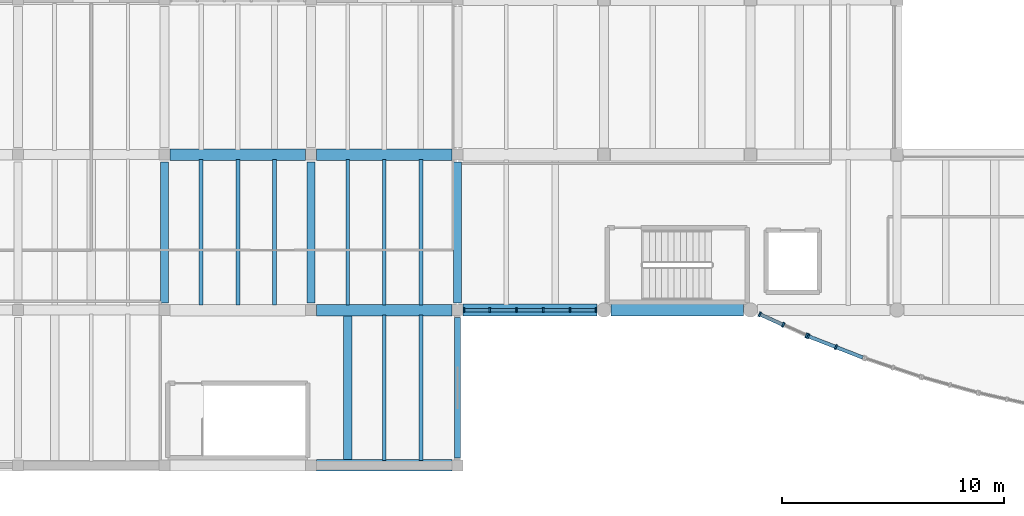
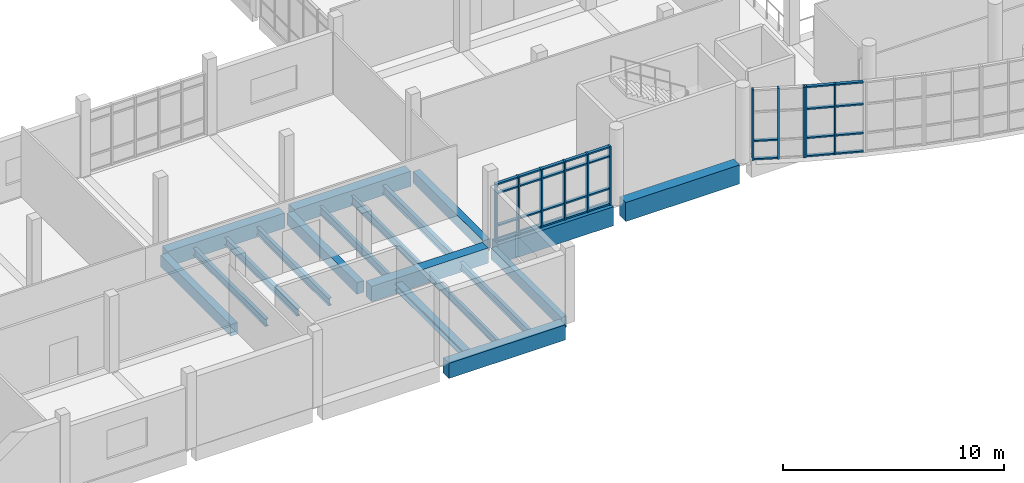
# One storey, part 4 of 65: 41 members, 19 beams, 3 elements without a shape of their own.
"""IFC4 building model written with IfcOpenShell, lengths in metres."""

from ifc_helpers import new_model, si_unit, direction, frame, origin, origin_2d, place, context, subcontext, project, spatial, rectangle, i_section, extrude, material, material_profile, profile_set, type_object, element, aggregate, save


model = new_model("IFC4")

# Units and contexts
model_context = context("Model", 3, precision=1e-05, world=origin(), true_north=direction((0.0, 1.0)))
body_context = subcontext(model_context, "Body", "Model", "MODEL_VIEW")
ifc_project = project(units=[si_unit("LENGTHUNIT", "METRE"), si_unit("AREAUNIT", "SQUARE_METRE"), si_unit("VOLUMEUNIT", "CUBIC_METRE"), si_unit("PLANEANGLEUNIT", "RADIAN"), si_unit("MASSUNIT", "GRAM", prefix="KILO")], contexts=[model_context])

# Site, building, storey
site_placement = place(None, origin())
site = spatial("IfcSite", under=ifc_project, at=site_placement, CompositionType="ELEMENT")
building_placement = place(site_placement, origin())
building = spatial("IfcBuilding", under=site, at=building_placement, Name="Ciguamira Faculty of Natural Sciences", CompositionType="ELEMENT")
storey_placement = place(building_placement, frame((0.0, 0.0, 12.60009765625)))
storey = spatial("IfcBuildingStorey", under=building, at=storey_placement, Name="L03", CompositionType="ELEMENT", Elevation=12.60009765625)

# Curtain wall, members
ifc_material_1 = material(Name="Anodized aluminium curtain wall", Category="aluminium")
curtain_wall_type_1 = type_object("IfcCurtainWallType", Name="CurtainWall_CW-09", PredefinedType="USERDEFINED", material=ifc_material_1)
curtain_wall_1_placement = place(storey_placement, origin())
curtain_wall_1 = element("IfcCurtainWall", 1, at=curtain_wall_1_placement, inside=storey, type_object=curtain_wall_type_1, Name="L03 unitised curtain wall 0081", ObjectType="UNITISED CURTAIN WALL", PredefinedType="USERDEFINED")
ifc_material_2 = material(Name="Anodized aluminium mullion", Category="aluminium")
ifc_material_profile_1 = material_profile(ifc_material_2, rectangle(XDim=0.080078125, YDim=0.219970703125, at=origin_2d()), Name="ALU-MUL-80X220")
ifc_profile_set_1 = profile_set([ifc_material_profile_1], Name="Anodized aluminium mullion")
member_type_1 = type_object("IfcMemberType", Name="CWMullion_CWM-03", PredefinedType="MULLION", material=ifc_profile_set_1)
member_1_placement = place(storey_placement, frame((50.989990234375, 10.0, 0.0), z_axis=(0.0, 0.0, 1.0), x_axis=(1.0, 0.0, 0.0)))
member_1 = element("IfcMember", 2, at=member_1_placement, type_object=member_type_1, Name="CW-09 mullion 1", PredefinedType="MULLION", context=body_context, shape_type="SweptSolid", body=[
    extrude(rectangle(XDim=0.080078125, YDim=0.219970703125, at=origin_2d()), origin(), (0.0, 0.0, 1.0), 3.23486328125),
])
member_2_placement = place(storey_placement, frame((52.155029296875, 10.0, 0.0), z_axis=(0.0, 0.0, 1.0), x_axis=(1.0, 0.0, 0.0)))
member_2 = element("IfcMember", 3, at=member_2_placement, type_object=member_type_1, Name="CW-09 mullion 2", PredefinedType="MULLION", context=body_context, shape_type="SweptSolid", body=[
    extrude(rectangle(XDim=0.080078125, YDim=0.219970703125, at=origin_2d()), origin(), (0.0, 0.0, 1.0), 3.23486328125),
])
member_3_placement = place(storey_placement, frame((53.360107421875, 10.0, 0.0), z_axis=(0.0, 0.0, 1.0), x_axis=(1.0, 0.0, 0.0)))
member_3 = element("IfcMember", 4, at=member_3_placement, type_object=member_type_1, Name="CW-09 mullion 3", PredefinedType="MULLION", context=body_context, shape_type="SweptSolid", body=[
    extrude(rectangle(XDim=0.080078125, YDim=0.219970703125, at=origin_2d()), origin(), (0.0, 0.0, 1.0), 3.23486328125),
])
member_4_placement = place(storey_placement, frame((54.56494140625, 10.0, 0.0), z_axis=(0.0, 0.0, 1.0), x_axis=(1.0, 0.0, 0.0)))
member_4 = element("IfcMember", 5, at=member_4_placement, type_object=member_type_1, Name="CW-09 mullion 4", PredefinedType="MULLION", context=body_context, shape_type="SweptSolid", body=[
    extrude(rectangle(XDim=0.080078125, YDim=0.219970703125, at=origin_2d()), origin(), (0.0, 0.0, 1.0), 3.23486328125),
])
member_5_placement = place(storey_placement, frame((55.77001953125, 10.0, 0.0), z_axis=(0.0, 0.0, 1.0), x_axis=(1.0, 0.0, 0.0)))
member_5 = element("IfcMember", 6, at=member_5_placement, type_object=member_type_1, Name="CW-09 mullion 5", PredefinedType="MULLION", context=body_context, shape_type="SweptSolid", body=[
    extrude(rectangle(XDim=0.080078125, YDim=0.219970703125, at=origin_2d()), origin(), (0.0, 0.0, 1.0), 3.23486328125),
])
member_6_placement = place(storey_placement, frame((56.93505859375, 10.0, 0.0), z_axis=(0.0, 0.0, 1.0), x_axis=(1.0, 0.0, 0.0)))
member_6 = element("IfcMember", 7, at=member_6_placement, type_object=member_type_1, Name="CW-09 mullion 6", PredefinedType="MULLION", context=body_context, shape_type="SweptSolid", body=[
    extrude(rectangle(XDim=0.080078125, YDim=0.219970703125, at=origin_2d()), origin(), (0.0, 0.0, 1.0), 3.23486328125),
])

curtain_wall_type_2 = type_object("IfcCurtainWallType", Name="CurtainWall_CW-12", PredefinedType="USERDEFINED", material=ifc_material_1)
curtain_wall_2_placement = place(storey_placement, origin())
curtain_wall_2 = element("IfcCurtainWall", 8, at=curtain_wall_2_placement, inside=storey, type_object=curtain_wall_type_2, Name="L03 south gallery curved curtain wall 01", ObjectType="UNITISED CURTAIN WALL", PredefinedType="USERDEFINED")
member_7_placement = place(storey_placement, frame((64.31884765625, 9.809814453125, 0.0), z_axis=(0.0, 0.0, 1.0), x_axis=(0.910580503774, -0.41333176281, 0.0)))
member_7 = element("IfcMember", 9, at=member_7_placement, type_object=member_type_1, Name="CW-12 mullion 1", PredefinedType="MULLION", context=body_context, shape_type="SweptSolid", body=[
    extrude(rectangle(XDim=0.080078125, YDim=0.219970703125, at=origin_2d()), origin(), (0.0, 0.0, 1.0), 3.89990234375),
])
member_8_placement = place(storey_placement, frame((65.37451171875, 9.33056640625, 0.0), z_axis=(0.0, 0.0, 1.0), x_axis=(0.910580503774, -0.41333176281, 0.0)))
member_8 = element("IfcMember", 10, at=member_8_placement, type_object=member_type_1, Name="CW-12 mullion 2", PredefinedType="MULLION", context=body_context, shape_type="SweptSolid", body=[
    extrude(rectangle(XDim=0.080078125, YDim=0.219970703125, at=origin_2d()), origin(), (0.0, 0.0, 1.0), 3.89990234375),
])
member_9_placement = place(storey_placement, frame((66.43017578125, 8.851318359375, 0.0), z_axis=(0.0, 0.0, 1.0), x_axis=(0.910580503774, -0.41333176281, 0.0)))
member_9 = element("IfcMember", 11, at=member_9_placement, type_object=member_type_1, Name="CW-12 mullion 3", PredefinedType="MULLION", context=body_context, shape_type="SweptSolid", body=[
    extrude(rectangle(XDim=0.080078125, YDim=0.219970703125, at=origin_2d()), origin(), (0.0, 0.0, 1.0), 3.89990234375),
])

curtain_wall_type_3 = type_object("IfcCurtainWallType", Name="CurtainWall_CW-01", PredefinedType="USERDEFINED", material=ifc_material_1)
curtain_wall_3_placement = place(storey_placement, origin())
curtain_wall_3 = element("IfcCurtainWall", 12, at=curtain_wall_3_placement, inside=storey, type_object=curtain_wall_type_3, Name="L03 south gallery curved curtain wall 02", ObjectType="UNITISED CURTAIN WALL", PredefinedType="USERDEFINED")
member_10_placement = place(storey_placement, frame((66.50390625, 8.8203125, 0.0), z_axis=(0.0, 0.0, 1.0), x_axis=(0.931122296337, -0.36470710065, 0.0)))
member_10 = element("IfcMember", 13, at=member_10_placement, type_object=member_type_1, Name="CW-01 mullion 1", PredefinedType="MULLION", context=body_context, shape_type="SweptSolid", body=[
    extrude(rectangle(XDim=0.080078125, YDim=0.219970703125, at=origin_2d()), origin(), (0.0, 0.0, 1.0), 3.89990234375),
])
member_11_placement = place(storey_placement, frame((67.75, 8.332275390625, 0.0), z_axis=(0.0, 0.0, 1.0), x_axis=(0.931122296337, -0.36470710065, 0.0)))
member_11 = element("IfcMember", 14, at=member_11_placement, type_object=member_type_1, Name="CW-01 mullion 2", PredefinedType="MULLION", context=body_context, shape_type="SweptSolid", body=[
    extrude(rectangle(XDim=0.080078125, YDim=0.219970703125, at=origin_2d()), origin(), (0.0, 0.0, 1.0), 3.89990234375),
])

# Member
ifc_material_3 = material(Name="Anodized aluminium transom", Category="aluminium")
ifc_material_profile_2 = material_profile(ifc_material_3, rectangle(XDim=0.080078125, YDim=0.159912109375, at=origin_2d()), Name="ALU-TRN-80X160")
ifc_profile_set_2 = profile_set([ifc_material_profile_2], Name="Anodized aluminium transom")
member_type_2 = type_object("IfcMemberType", Name="CWTransom_CWT-03", PredefinedType="USERDEFINED", material=ifc_profile_set_2)
member_12_placement = place(storey_placement, frame((51.030029296875, 10.0, 0.039794921875), z_axis=(1.0, 0.0, 0.0), x_axis=(0.0, 0.0, 1.0)))
member_12 = element("IfcMember", 15, at=member_12_placement, type_object=member_type_2, Name="CW-09 transom 1.1", ObjectType="TRANSOM", PredefinedType="USERDEFINED", context=body_context, shape_type="SweptSolid", body=[
    extrude(rectangle(XDim=0.080078125, YDim=0.159912109375, at=origin_2d()), origin(), (0.0, 0.0, 1.0), 1.0849609375),
])

member_13_placement = place(storey_placement, frame((51.030029296875, 10.0, 0.89990234375), z_axis=(1.0, 0.0, 0.0), x_axis=(0.0, 0.0, 1.0)))
member_13 = element("IfcMember", 16, at=member_13_placement, type_object=member_type_2, Name="CW-09 transom 1.2", ObjectType="TRANSOM", PredefinedType="USERDEFINED", context=body_context, shape_type="SweptSolid", body=[
    extrude(rectangle(XDim=0.080078125, YDim=0.159912109375, at=origin_2d()), origin(), (0.0, 0.0, 1.0), 1.0849609375),
])

member_14_placement = place(storey_placement, frame((51.030029296875, 10.0, 2.684814453125), z_axis=(1.0, 0.0, 0.0), x_axis=(0.0, 0.0, 1.0)))
member_14 = element("IfcMember", 17, at=member_14_placement, type_object=member_type_2, Name="CW-09 transom 1.3", ObjectType="TRANSOM", PredefinedType="USERDEFINED", context=body_context, shape_type="SweptSolid", body=[
    extrude(rectangle(XDim=0.080078125, YDim=0.159912109375, at=origin_2d()), origin(), (0.0, 0.0, 1.0), 1.0849609375),
])

member_15_placement = place(storey_placement, frame((51.030029296875, 10.0, 3.19482421875), z_axis=(1.0, 0.0, 0.0), x_axis=(0.0, 0.0, 1.0)))
member_15 = element("IfcMember", 18, at=member_15_placement, type_object=member_type_2, Name="CW-09 transom 1.4", ObjectType="TRANSOM", PredefinedType="USERDEFINED", context=body_context, shape_type="SweptSolid", body=[
    extrude(rectangle(XDim=0.080078125, YDim=0.159912109375, at=origin_2d()), origin(), (0.0, 0.0, 1.0), 1.0849609375),
])

member_16_placement = place(storey_placement, frame((52.195068359375, 10.0, 0.039794921875), z_axis=(1.0, 0.0, 0.0), x_axis=(0.0, 0.0, 1.0)))
member_16 = element("IfcMember", 19, at=member_16_placement, type_object=member_type_2, Name="CW-09 transom 2.1", ObjectType="TRANSOM", PredefinedType="USERDEFINED", context=body_context, shape_type="SweptSolid", body=[
    extrude(rectangle(XDim=0.080078125, YDim=0.159912109375, at=origin_2d()), origin(), (0.0, 0.0, 1.0), 1.125),
])

member_17_placement = place(storey_placement, frame((52.195068359375, 10.0, 0.89990234375), z_axis=(1.0, 0.0, 0.0), x_axis=(0.0, 0.0, 1.0)))
member_17 = element("IfcMember", 20, at=member_17_placement, type_object=member_type_2, Name="CW-09 transom 2.2", ObjectType="TRANSOM", PredefinedType="USERDEFINED", context=body_context, shape_type="SweptSolid", body=[
    extrude(rectangle(XDim=0.080078125, YDim=0.159912109375, at=origin_2d()), origin(), (0.0, 0.0, 1.0), 1.125),
])

member_18_placement = place(storey_placement, frame((52.195068359375, 10.0, 2.684814453125), z_axis=(1.0, 0.0, 0.0), x_axis=(0.0, 0.0, 1.0)))
member_18 = element("IfcMember", 21, at=member_18_placement, type_object=member_type_2, Name="CW-09 transom 2.3", ObjectType="TRANSOM", PredefinedType="USERDEFINED", context=body_context, shape_type="SweptSolid", body=[
    extrude(rectangle(XDim=0.080078125, YDim=0.159912109375, at=origin_2d()), origin(), (0.0, 0.0, 1.0), 1.125),
])

member_19_placement = place(storey_placement, frame((52.195068359375, 10.0, 3.19482421875), z_axis=(1.0, 0.0, 0.0), x_axis=(0.0, 0.0, 1.0)))
member_19 = element("IfcMember", 22, at=member_19_placement, type_object=member_type_2, Name="CW-09 transom 2.4", ObjectType="TRANSOM", PredefinedType="USERDEFINED", context=body_context, shape_type="SweptSolid", body=[
    extrude(rectangle(XDim=0.080078125, YDim=0.159912109375, at=origin_2d()), origin(), (0.0, 0.0, 1.0), 1.125),
])

member_20_placement = place(storey_placement, frame((53.39990234375, 10.0, 0.039794921875), z_axis=(1.0, 0.0, 0.0), x_axis=(0.0, 0.0, 1.0)))
member_20 = element("IfcMember", 23, at=member_20_placement, type_object=member_type_2, Name="CW-09 transom 3.1", ObjectType="TRANSOM", PredefinedType="USERDEFINED", context=body_context, shape_type="SweptSolid", body=[
    extrude(rectangle(XDim=0.080078125, YDim=0.159912109375, at=origin_2d()), origin(), (0.0, 0.0, 1.0), 1.125),
])

member_21_placement = place(storey_placement, frame((53.39990234375, 10.0, 0.89990234375), z_axis=(1.0, 0.0, 0.0), x_axis=(0.0, 0.0, 1.0)))
member_21 = element("IfcMember", 24, at=member_21_placement, type_object=member_type_2, Name="CW-09 transom 3.2", ObjectType="TRANSOM", PredefinedType="USERDEFINED", context=body_context, shape_type="SweptSolid", body=[
    extrude(rectangle(XDim=0.080078125, YDim=0.159912109375, at=origin_2d()), origin(), (0.0, 0.0, 1.0), 1.125),
])

member_22_placement = place(storey_placement, frame((53.39990234375, 10.0, 2.684814453125), z_axis=(1.0, 0.0, 0.0), x_axis=(0.0, 0.0, 1.0)))
member_22 = element("IfcMember", 25, at=member_22_placement, type_object=member_type_2, Name="CW-09 transom 3.3", ObjectType="TRANSOM", PredefinedType="USERDEFINED", context=body_context, shape_type="SweptSolid", body=[
    extrude(rectangle(XDim=0.080078125, YDim=0.159912109375, at=origin_2d()), origin(), (0.0, 0.0, 1.0), 1.125),
])

member_23_placement = place(storey_placement, frame((53.39990234375, 10.0, 3.19482421875), z_axis=(1.0, 0.0, 0.0), x_axis=(0.0, 0.0, 1.0)))
member_23 = element("IfcMember", 26, at=member_23_placement, type_object=member_type_2, Name="CW-09 transom 3.4", ObjectType="TRANSOM", PredefinedType="USERDEFINED", context=body_context, shape_type="SweptSolid", body=[
    extrude(rectangle(XDim=0.080078125, YDim=0.159912109375, at=origin_2d()), origin(), (0.0, 0.0, 1.0), 1.125),
])

member_24_placement = place(storey_placement, frame((54.60498046875, 10.0, 0.039794921875), z_axis=(1.0, 0.0, 0.0), x_axis=(0.0, 0.0, 1.0)))
member_24 = element("IfcMember", 27, at=member_24_placement, type_object=member_type_2, Name="CW-09 transom 4.1", ObjectType="TRANSOM", PredefinedType="USERDEFINED", context=body_context, shape_type="SweptSolid", body=[
    extrude(rectangle(XDim=0.080078125, YDim=0.159912109375, at=origin_2d()), origin(), (0.0, 0.0, 1.0), 1.125),
])

member_25_placement = place(storey_placement, frame((54.60498046875, 10.0, 0.89990234375), z_axis=(1.0, 0.0, 0.0), x_axis=(0.0, 0.0, 1.0)))
member_25 = element("IfcMember", 28, at=member_25_placement, type_object=member_type_2, Name="CW-09 transom 4.2", ObjectType="TRANSOM", PredefinedType="USERDEFINED", context=body_context, shape_type="SweptSolid", body=[
    extrude(rectangle(XDim=0.080078125, YDim=0.159912109375, at=origin_2d()), origin(), (0.0, 0.0, 1.0), 1.125),
])

member_26_placement = place(storey_placement, frame((54.60498046875, 10.0, 2.684814453125), z_axis=(1.0, 0.0, 0.0), x_axis=(0.0, 0.0, 1.0)))
member_26 = element("IfcMember", 29, at=member_26_placement, type_object=member_type_2, Name="CW-09 transom 4.3", ObjectType="TRANSOM", PredefinedType="USERDEFINED", context=body_context, shape_type="SweptSolid", body=[
    extrude(rectangle(XDim=0.080078125, YDim=0.159912109375, at=origin_2d()), origin(), (0.0, 0.0, 1.0), 1.125),
])

member_27_placement = place(storey_placement, frame((54.60498046875, 10.0, 3.19482421875), z_axis=(1.0, 0.0, 0.0), x_axis=(0.0, 0.0, 1.0)))
member_27 = element("IfcMember", 30, at=member_27_placement, type_object=member_type_2, Name="CW-09 transom 4.4", ObjectType="TRANSOM", PredefinedType="USERDEFINED", context=body_context, shape_type="SweptSolid", body=[
    extrude(rectangle(XDim=0.080078125, YDim=0.159912109375, at=origin_2d()), origin(), (0.0, 0.0, 1.0), 1.125),
])

member_28_placement = place(storey_placement, frame((55.81005859375, 10.0, 0.039794921875), z_axis=(1.0, 0.0, 0.0), x_axis=(0.0, 0.0, 1.0)))
member_28 = element("IfcMember", 31, at=member_28_placement, type_object=member_type_2, Name="CW-09 transom 5.1", ObjectType="TRANSOM", PredefinedType="USERDEFINED", context=body_context, shape_type="SweptSolid", body=[
    extrude(rectangle(XDim=0.080078125, YDim=0.159912109375, at=origin_2d()), origin(), (0.0, 0.0, 1.0), 1.0849609375),
])

member_29_placement = place(storey_placement, frame((55.81005859375, 10.0, 0.89990234375), z_axis=(1.0, 0.0, 0.0), x_axis=(0.0, 0.0, 1.0)))
member_29 = element("IfcMember", 32, at=member_29_placement, type_object=member_type_2, Name="CW-09 transom 5.2", ObjectType="TRANSOM", PredefinedType="USERDEFINED", context=body_context, shape_type="SweptSolid", body=[
    extrude(rectangle(XDim=0.080078125, YDim=0.159912109375, at=origin_2d()), origin(), (0.0, 0.0, 1.0), 1.0849609375),
])

member_30_placement = place(storey_placement, frame((55.81005859375, 10.0, 2.684814453125), z_axis=(1.0, 0.0, 0.0), x_axis=(0.0, 0.0, 1.0)))
member_30 = element("IfcMember", 33, at=member_30_placement, type_object=member_type_2, Name="CW-09 transom 5.3", ObjectType="TRANSOM", PredefinedType="USERDEFINED", context=body_context, shape_type="SweptSolid", body=[
    extrude(rectangle(XDim=0.080078125, YDim=0.159912109375, at=origin_2d()), origin(), (0.0, 0.0, 1.0), 1.0849609375),
])

member_31_placement = place(storey_placement, frame((55.81005859375, 10.0, 3.19482421875), z_axis=(1.0, 0.0, 0.0), x_axis=(0.0, 0.0, 1.0)))
member_31 = element("IfcMember", 34, at=member_31_placement, type_object=member_type_2, Name="CW-09 transom 5.4", ObjectType="TRANSOM", PredefinedType="USERDEFINED", context=body_context, shape_type="SweptSolid", body=[
    extrude(rectangle(XDim=0.080078125, YDim=0.159912109375, at=origin_2d()), origin(), (0.0, 0.0, 1.0), 1.0849609375),
])

aggregate(curtain_wall_1, [member_1, member_2, member_3, member_4, member_5, member_6, member_12, member_13, member_14, member_15, member_16, member_17, member_18, member_19, member_20, member_21, member_22, member_23, member_24, member_25, member_26, member_27, member_28, member_29, member_30, member_31])

member_32_placement = place(storey_placement, frame((64.355224609375, 9.793212890625, 0.039794921875), z_axis=(0.910621924114, -0.413240500585, 0.0), x_axis=(0.0, 0.0, 1.0)))
member_32 = element("IfcMember", 35, at=member_32_placement, type_object=member_type_2, Name="CW-12 transom 1.1", ObjectType="TRANSOM", PredefinedType="USERDEFINED", context=body_context, shape_type="SweptSolid", body=[
    extrude(rectangle(XDim=0.080078125, YDim=0.159912109375, at=origin_2d()), origin(), (0.0, 0.0, 1.0), 1.079345703125),
])

member_33_placement = place(storey_placement, frame((64.355224609375, 9.793212890625, 1.0498046875), z_axis=(0.910621924114, -0.413240500585, 0.0), x_axis=(0.0, 0.0, 1.0)))
member_33 = element("IfcMember", 36, at=member_33_placement, type_object=member_type_2, Name="CW-12 transom 1.2", ObjectType="TRANSOM", PredefinedType="USERDEFINED", context=body_context, shape_type="SweptSolid", body=[
    extrude(rectangle(XDim=0.080078125, YDim=0.159912109375, at=origin_2d()), origin(), (0.0, 0.0, 1.0), 1.079345703125),
])

aggregate(curtain_wall_2, [member_7, member_8, member_9, member_32, member_33])

member_34_placement = place(storey_placement, frame((66.541259765625, 8.8056640625, 0.039794921875), z_axis=(0.931142528587, -0.364655442104, 0.0), x_axis=(0.0, 0.0, 1.0)))
member_34 = element("IfcMember", 37, at=member_34_placement, type_object=member_type_2, Name="CW-01 transom 1.1", ObjectType="TRANSOM", PredefinedType="USERDEFINED", context=body_context, shape_type="SweptSolid", body=[
    extrude(rectangle(XDim=0.080078125, YDim=0.159912109375, at=origin_2d()), origin(), (0.0, 0.0, 1.0), 1.258056640625),
])

member_35_placement = place(storey_placement, frame((66.541259765625, 8.8056640625, 1.0498046875), z_axis=(0.931142528587, -0.364655442104, 0.0), x_axis=(0.0, 0.0, 1.0)))
member_35 = element("IfcMember", 38, at=member_35_placement, type_object=member_type_2, Name="CW-01 transom 1.2", ObjectType="TRANSOM", PredefinedType="USERDEFINED", context=body_context, shape_type="SweptSolid", body=[
    extrude(rectangle(XDim=0.080078125, YDim=0.159912109375, at=origin_2d()), origin(), (0.0, 0.0, 1.0), 1.258056640625),
])

member_36_placement = place(storey_placement, frame((66.541259765625, 8.8056640625, 2.64990234375), z_axis=(0.931142528587, -0.364655442104, 0.0), x_axis=(0.0, 0.0, 1.0)))
member_36 = element("IfcMember", 39, at=member_36_placement, type_object=member_type_2, Name="CW-01 transom 1.3", ObjectType="TRANSOM", PredefinedType="USERDEFINED", context=body_context, shape_type="SweptSolid", body=[
    extrude(rectangle(XDim=0.080078125, YDim=0.159912109375, at=origin_2d()), origin(), (0.0, 0.0, 1.0), 1.258056640625),
])

member_37_placement = place(storey_placement, frame((66.541259765625, 8.8056640625, 3.85986328125), z_axis=(0.931142528587, -0.364655442104, 0.0), x_axis=(0.0, 0.0, 1.0)))
member_37 = element("IfcMember", 40, at=member_37_placement, type_object=member_type_2, Name="CW-01 transom 1.4", ObjectType="TRANSOM", PredefinedType="USERDEFINED", context=body_context, shape_type="SweptSolid", body=[
    extrude(rectangle(XDim=0.080078125, YDim=0.159912109375, at=origin_2d()), origin(), (0.0, 0.0, 1.0), 1.258056640625),
])

member_38_placement = place(storey_placement, frame((67.787353515625, 8.317626953125, 0.039794921875), z_axis=(0.931142528587, -0.364655442104, 0.0), x_axis=(0.0, 0.0, 1.0)))
member_38 = element("IfcMember", 41, at=member_38_placement, type_object=member_type_2, Name="CW-01 transom 2.1", ObjectType="TRANSOM", PredefinedType="USERDEFINED", context=body_context, shape_type="SweptSolid", body=[
    extrude(rectangle(XDim=0.080078125, YDim=0.159912109375, at=origin_2d()), origin(), (0.0, 0.0, 1.0), 1.258056640625),
])

member_39_placement = place(storey_placement, frame((67.787353515625, 8.317626953125, 1.0498046875), z_axis=(0.931142528587, -0.364655442104, 0.0), x_axis=(0.0, 0.0, 1.0)))
member_39 = element("IfcMember", 42, at=member_39_placement, type_object=member_type_2, Name="CW-01 transom 2.2", ObjectType="TRANSOM", PredefinedType="USERDEFINED", context=body_context, shape_type="SweptSolid", body=[
    extrude(rectangle(XDim=0.080078125, YDim=0.159912109375, at=origin_2d()), origin(), (0.0, 0.0, 1.0), 1.258056640625),
])

member_40_placement = place(storey_placement, frame((67.787353515625, 8.317626953125, 2.64990234375), z_axis=(0.931142528587, -0.364655442104, 0.0), x_axis=(0.0, 0.0, 1.0)))
member_40 = element("IfcMember", 43, at=member_40_placement, type_object=member_type_2, Name="CW-01 transom 2.3", ObjectType="TRANSOM", PredefinedType="USERDEFINED", context=body_context, shape_type="SweptSolid", body=[
    extrude(rectangle(XDim=0.080078125, YDim=0.159912109375, at=origin_2d()), origin(), (0.0, 0.0, 1.0), 1.258056640625),
])

member_41_placement = place(storey_placement, frame((67.787353515625, 8.317626953125, 3.85986328125), z_axis=(0.931142528587, -0.364655442104, 0.0), x_axis=(0.0, 0.0, 1.0)))
member_41 = element("IfcMember", 44, at=member_41_placement, type_object=member_type_2, Name="CW-01 transom 2.4", ObjectType="TRANSOM", PredefinedType="USERDEFINED", context=body_context, shape_type="SweptSolid", body=[
    extrude(rectangle(XDim=0.080078125, YDim=0.159912109375, at=origin_2d()), origin(), (0.0, 0.0, 1.0), 1.258056640625),
])

aggregate(curtain_wall_3, [member_10, member_11, member_34, member_35, member_36, member_37, member_38, member_39, member_40, member_41])

# Beams
ifc_material_4 = material(Name="Concrete C40/50", Category="concrete")
ifc_material_profile_3 = material_profile(ifc_material_4, rectangle(XDim=0.550048828125, YDim=1.050048828125, at=origin_2d()), Name="RC-BM-550X1050")
ifc_profile_set_3 = profile_set([ifc_material_profile_3], Name="Concrete C40/50")
beam_type_1 = type_object("IfcBeamType", Name="RCBeam_BG-01_RC-BM-550X1050", PredefinedType="BEAM", material=ifc_profile_set_3)
beam_1_placement = place(storey_placement, frame((50.949951171875, 10.0, -0.525146484375), z_axis=(1.0, 0.0, 0.0), x_axis=(0.0, 1.0, 0.0)))
element("IfcBeam", 45, at=beam_1_placement, inside=storey, type_object=beam_type_1, Name="L03 RC girder EW-1027", PredefinedType="BEAM", context=body_context, shape_type="SweptSolid", body=[
    extrude(rectangle(XDim=0.550048828125, YDim=1.050048828125, at=origin_2d()), origin(), (0.0, 0.0, 1.0), 6.025146484375),
])
beam_2_placement = place(storey_placement, frame((57.625, 10.0, -0.525146484375), z_axis=(1.0, 0.0, 0.0), x_axis=(0.0, 1.0, 0.0)))
element("IfcBeam", 46, at=beam_2_placement, inside=storey, type_object=beam_type_1, Name="L03 RC girder EW-1028", PredefinedType="BEAM", context=body_context, shape_type="SweptSolid", body=[
    extrude(rectangle(XDim=0.550048828125, YDim=1.050048828125, at=origin_2d()), origin(), (0.0, 0.0, 1.0), 5.949951171875),
])
ifc_material_profile_4 = material_profile(ifc_material_4, rectangle(XDim=0.360107421875, YDim=0.639892578125, at=origin_2d()), Name="RC-BM-360X640")
ifc_profile_set_4 = profile_set([ifc_material_profile_4], Name="Concrete C40/50")
beam_type_2 = type_object("IfcBeamType", Name="RCBeam_BG-10_RC-BM-360X640", PredefinedType="BEAM", material=ifc_profile_set_4)
for number, where, z_axis, x_axis, name in (
    (47, (37.5, 10.324951171875, -0.320068359375), (0.0, 1.0, 0.0), (-1.0, 0.0, 0.0), "L03 girder NS-1196"),
    (48, (44.10009765625, 10.324951171875, -0.320068359375), (0.0, 1.0, 0.0), (-1.0, 0.0, 0.0), "L03 girder NS-1198"),
    (49, (50.699951171875, 10.324951171875, -0.320068359375), (0.0, 1.0, 0.0), (-1.0, 0.0, 0.0), "L03 girder NS-1201"),
):
    element("IfcBeam", number, at=place(storey_placement, frame(where, z_axis=z_axis, x_axis=x_axis)), inside=storey, type_object=beam_type_2, Name=name, PredefinedType="BEAM", context=body_context, shape_type="SweptSolid", body=[
        extrude(rectangle(XDim=0.360107421875, YDim=0.639892578125, at=origin_2d()), origin(), (0.0, 0.0, 1.0), 6.35009765625),
    ])
ifc_material_5 = material(Name="Precast concrete C40/50", Category="concrete")
ifc_material_profile_5 = material_profile(ifc_material_5, rectangle(XDim=0.280029296875, YDim=0.6201171875, at=origin_2d()), Name="RC-SP-280X620")
ifc_profile_set_5 = profile_set([ifc_material_profile_5], Name="Precast concrete C40/50")
beam_type_3 = type_object("IfcBeamType", Name="RCBeam_SP-01_RC-SP-280X620", PredefinedType="SPANDREL", material=ifc_profile_set_5)
beam_3_placement = place(storey_placement, frame((50.699951171875, 3.324951171875, -0.31005859375), z_axis=(0.0, 1.0, 0.0), x_axis=(-1.0, 0.0, 0.0)))
element("IfcBeam", 50, at=beam_3_placement, inside=storey, type_object=beam_type_3, Name="L03 girder NS-1200", PredefinedType="SPANDREL", context=body_context, shape_type="SweptSolid", body=[
    extrude(rectangle(XDim=0.280029296875, YDim=0.6201171875, at=origin_2d()), origin(), (0.0, 0.0, 1.0), 6.35009765625),
])
ifc_material_profile_6 = material_profile(ifc_material_4, rectangle(XDim=0.52001953125, YDim=0.840087890625, at=origin_2d()), Name="RC-TB-520X840")
ifc_profile_set_6 = profile_set([ifc_material_profile_6], Name="Concrete C40/50")
beam_type_4 = type_object("IfcBeamType", Name="RCBeam_TB-02_RC-TB-520X840", PredefinedType="T_BEAM", material=ifc_profile_set_6)
for number, where, z_axis, x_axis, name in (
    (51, (44.35009765625, 3.0, -0.420166015625), (1.0, 0.0, 0.0), (0.0, 1.0, 0.0), "L03 RC girder EW-1019"),
    (52, (44.35009765625, 10.0, -0.420166015625), (1.0, 0.0, 0.0), (0.0, 1.0, 0.0), "L03 RC girder EW-1026"),
):
    element("IfcBeam", number, at=place(storey_placement, frame(where, z_axis=z_axis, x_axis=x_axis)), inside=storey, type_object=beam_type_4, Name=name, PredefinedType="T_BEAM", context=body_context, shape_type="SweptSolid", body=[
        extrude(rectangle(XDim=0.52001953125, YDim=0.840087890625, at=origin_2d()), origin(), (0.0, 0.0, 1.0), 6.099853515625),
    ])
beam_4_placement = place(storey_placement, frame((37.75, 17.0, -0.420166015625), z_axis=(1.0, 0.0, 0.0), x_axis=(0.0, 1.0, 0.0)))
element("IfcBeam", 53, at=beam_4_placement, inside=storey, type_object=beam_type_4, Name="L03 RC girder EW-1043", PredefinedType="T_BEAM", context=body_context, shape_type="SweptSolid", body=[
    extrude(rectangle(XDim=0.52001953125, YDim=0.840087890625, at=origin_2d()), origin(), (0.0, 0.0, 1.0), 6.10009765625),
])
beam_5_placement = place(storey_placement, frame((44.35009765625, 17.0, -0.420166015625), z_axis=(1.0, 0.0, 0.0), x_axis=(0.0, 1.0, 0.0)))
element("IfcBeam", 54, at=beam_5_placement, inside=storey, type_object=beam_type_4, Name="L03 RC girder EW-1044", PredefinedType="T_BEAM", context=body_context, shape_type="SweptSolid", body=[
    extrude(rectangle(XDim=0.52001953125, YDim=0.840087890625, at=origin_2d()), origin(), (0.0, 0.0, 1.0), 6.099853515625),
])
ifc_material_6 = material(Name="Steel ASTM A992 Grade 50", Category="steel")
ifc_material_profile_7 = material_profile(ifc_material_6, i_section(OverallWidth=0.368408203125, OverallDepth=0.355712890625, WebThickness=0.01123046875, FlangeThickness=0.01806640625, at=origin_2d()), Name="W14X90")
ifc_profile_set_7 = profile_set([ifc_material_profile_7], Name="Steel ASTM A992 Grade 50")
beam_type_5 = type_object("IfcBeamType", Name="SteelJoist_SJ-16_W14X90", PredefinedType="JOIST", material=ifc_profile_set_7)
beam_6_placement = place(storey_placement, frame((45.75, 3.219970703125, -0.43798828125), z_axis=(0.0, 1.0, 0.0), x_axis=(-1.0, 0.0, 0.0)))
element("IfcBeam", 55, at=beam_6_placement, inside=storey, type_object=beam_type_5, Name="L03 composite steel joist 01004", PredefinedType="JOIST", context=body_context, shape_type="SweptSolid", body=[
    extrude(i_section(OverallWidth=0.368408203125, OverallDepth=0.355712890625, WebThickness=0.01123046875, FlangeThickness=0.01806640625, at=origin_2d()), origin(), (0.0, 0.0, 1.0), 6.56005859375),
])
ifc_material_profile_8 = material_profile(ifc_material_6, i_section(OverallWidth=0.140380859375, OverallDepth=0.40380859375, WebThickness=0.007080078125, FlangeThickness=0.01123046875, at=origin_2d()), Name="W16X31")
ifc_profile_set_8 = profile_set([ifc_material_profile_8], Name="Steel ASTM A992 Grade 50")
beam_type_6 = type_object("IfcBeamType", Name="SteelJoist_SJ-17_W16X31", PredefinedType="JOIST", material=ifc_profile_set_8)
beam_7_placement = place(storey_placement, frame((47.39990234375, 3.219970703125, -0.4619140625), z_axis=(0.0, 1.0, 0.0), x_axis=(-1.0, 0.0, 0.0)))
element("IfcBeam", 56, at=beam_7_placement, inside=storey, type_object=beam_type_6, Name="L03 composite steel joist 01005", PredefinedType="JOIST", context=body_context, shape_type="SweptSolid", body=[
    extrude(i_section(OverallWidth=0.140380859375, OverallDepth=0.40380859375, WebThickness=0.007080078125, FlangeThickness=0.01123046875, at=origin_2d()), origin(), (0.0, 0.0, 1.0), 6.56005859375),
])
ifc_material_profile_9 = material_profile(ifc_material_6, i_section(OverallWidth=0.177490234375, OverallDepth=0.40380859375, WebThickness=0.007568359375, FlangeThickness=0.010986328125, at=origin_2d()), Name="W16X36")
ifc_profile_set_9 = profile_set([ifc_material_profile_9], Name="Steel ASTM A992 Grade 50")
beam_type_7 = type_object("IfcBeamType", Name="SteelJoist_SJ-18_W16X36", PredefinedType="JOIST", material=ifc_profile_set_9)
for number, where, z_axis, x_axis, name in (
    (57, (39.14990234375, 10.219970703125, -0.4619140625), (0.0, 1.0, 0.0), (-1.0, 0.0, 0.0), "L03 composite steel joist 00998"),
    (58, (49.050048828125, 3.219970703125, -0.4619140625), (0.0, 1.0, 0.0), (-1.0, 0.0, 0.0), "L03 composite steel joist 01006"),
):
    element("IfcBeam", number, at=place(storey_placement, frame(where, z_axis=z_axis, x_axis=x_axis)), inside=storey, type_object=beam_type_7, Name=name, PredefinedType="JOIST", context=body_context, shape_type="SweptSolid", body=[
        extrude(i_section(OverallWidth=0.177490234375, OverallDepth=0.40380859375, WebThickness=0.007568359375, FlangeThickness=0.010986328125, at=origin_2d()), origin(), (0.0, 0.0, 1.0), 6.56005859375),
    ])
ifc_material_profile_10 = material_profile(ifc_material_6, i_section(OverallWidth=0.1787109375, OverallDepth=0.408935546875, WebThickness=0.0087890625, FlangeThickness=0.014404296875, at=origin_2d()), Name="W16X45")
ifc_profile_set_10 = profile_set([ifc_material_profile_10], Name="Steel ASTM A992 Grade 50")
beam_type_8 = type_object("IfcBeamType", Name="SteelJoist_SJ-19_W16X45", PredefinedType="JOIST", material=ifc_profile_set_10)
beam_8_placement = place(storey_placement, frame((40.800048828125, 10.219970703125, -0.464599609375), z_axis=(0.0, 1.0, 0.0), x_axis=(-1.0, 0.0, 0.0)))
element("IfcBeam", 59, at=beam_8_placement, inside=storey, type_object=beam_type_8, Name="L03 composite steel joist 00999", PredefinedType="JOIST", context=body_context, shape_type="SweptSolid", body=[
    extrude(i_section(OverallWidth=0.1787109375, OverallDepth=0.408935546875, WebThickness=0.0087890625, FlangeThickness=0.014404296875, at=origin_2d()), origin(), (0.0, 0.0, 1.0), 6.56005859375),
])
ifc_material_profile_11 = material_profile(ifc_material_6, i_section(OverallWidth=0.180908203125, OverallDepth=0.41650390625, WebThickness=0.010986328125, FlangeThickness=0.01806640625, at=origin_2d()), Name="W16X57")
ifc_profile_set_11 = profile_set([ifc_material_profile_11], Name="Steel ASTM A992 Grade 50")
beam_type_9 = type_object("IfcBeamType", Name="SteelJoist_SJ-20_W16X57", PredefinedType="JOIST", material=ifc_profile_set_11)
beam_9_placement = place(storey_placement, frame((42.449951171875, 10.219970703125, -0.468505859375), z_axis=(0.0, 1.0, 0.0), x_axis=(-1.0, 0.0, 0.0)))
element("IfcBeam", 60, at=beam_9_placement, inside=storey, type_object=beam_type_9, Name="L03 composite steel joist 01000", PredefinedType="JOIST", context=body_context, shape_type="SweptSolid", body=[
    extrude(i_section(OverallWidth=0.180908203125, OverallDepth=0.41650390625, WebThickness=0.010986328125, FlangeThickness=0.01806640625, at=origin_2d()), origin(), (0.0, 0.0, 1.0), 6.56005859375),
])
ifc_material_profile_12 = material_profile(ifc_material_6, i_section(OverallWidth=0.15234375, OverallDepth=0.449462890625, WebThickness=0.007568359375, FlangeThickness=0.0107421875, at=origin_2d()), Name="W18X35")
ifc_profile_set_12 = profile_set([ifc_material_profile_12], Name="Steel ASTM A992 Grade 50")
beam_type_10 = type_object("IfcBeamType", Name="SteelJoist_SJ-21_W18X35", PredefinedType="JOIST", material=ifc_profile_set_12)
beam_10_placement = place(storey_placement, frame((45.75, 10.219970703125, -0.48486328125), z_axis=(0.0, 1.0, 0.0), x_axis=(-1.0, 0.0, 0.0)))
element("IfcBeam", 61, at=beam_10_placement, inside=storey, type_object=beam_type_10, Name="L03 composite steel joist 01007", PredefinedType="JOIST", context=body_context, shape_type="SweptSolid", body=[
    extrude(i_section(OverallWidth=0.15234375, OverallDepth=0.449462890625, WebThickness=0.007568359375, FlangeThickness=0.0107421875, at=origin_2d()), origin(), (0.0, 0.0, 1.0), 6.56005859375),
])
ifc_material_profile_13 = material_profile(ifc_material_6, i_section(OverallWidth=0.15283203125, OverallDepth=0.45458984375, WebThickness=0.008056640625, FlangeThickness=0.013427734375, at=origin_2d()), Name="W18X40")
ifc_profile_set_13 = profile_set([ifc_material_profile_13], Name="Steel ASTM A992 Grade 50")
beam_type_11 = type_object("IfcBeamType", Name="SteelJoist_SJ-22_W18X40", PredefinedType="JOIST", material=ifc_profile_set_13)
beam_11_placement = place(storey_placement, frame((47.39990234375, 10.219970703125, -0.4873046875), z_axis=(0.0, 1.0, 0.0), x_axis=(-1.0, 0.0, 0.0)))
element("IfcBeam", 62, at=beam_11_placement, inside=storey, type_object=beam_type_11, Name="L03 composite steel joist 01008", PredefinedType="JOIST", context=body_context, shape_type="SweptSolid", body=[
    extrude(i_section(OverallWidth=0.15283203125, OverallDepth=0.45458984375, WebThickness=0.008056640625, FlangeThickness=0.013427734375, at=origin_2d()), origin(), (0.0, 0.0, 1.0), 6.56005859375),
])
ifc_material_profile_14 = material_profile(ifc_material_6, i_section(OverallWidth=0.1904296875, OverallDepth=0.457275390625, WebThickness=0.009033203125, FlangeThickness=0.014404296875, at=origin_2d()), Name="W18X50")
ifc_profile_set_14 = profile_set([ifc_material_profile_14], Name="Steel ASTM A992 Grade 50")
beam_type_12 = type_object("IfcBeamType", Name="SteelJoist_SJ-23_W18X50", PredefinedType="JOIST", material=ifc_profile_set_14)
beam_12_placement = place(storey_placement, frame((49.050048828125, 10.219970703125, -0.48876953125), z_axis=(0.0, 1.0, 0.0), x_axis=(-1.0, 0.0, 0.0)))
element("IfcBeam", 63, at=beam_12_placement, inside=storey, type_object=beam_type_12, Name="L03 composite steel joist 01009", PredefinedType="JOIST", context=body_context, shape_type="SweptSolid", body=[
    extrude(i_section(OverallWidth=0.1904296875, OverallDepth=0.457275390625, WebThickness=0.009033203125, FlangeThickness=0.014404296875, at=origin_2d()), origin(), (0.0, 0.0, 1.0), 6.56005859375),
])

save(model, "model.ifc")
